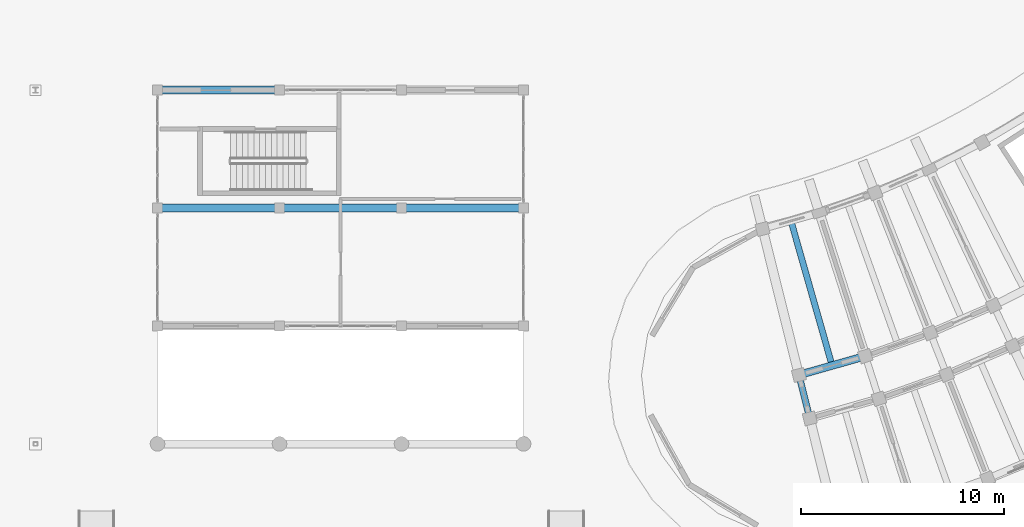
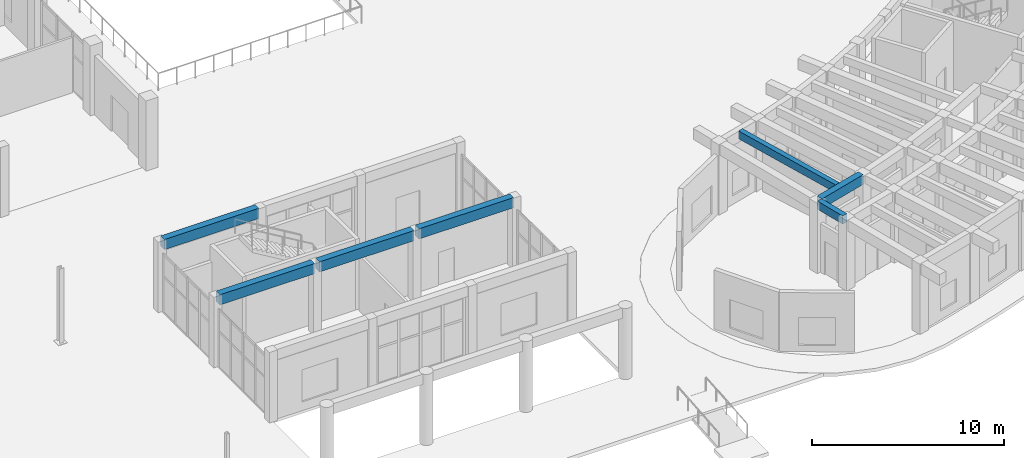
# One storey, part 25 of 132: 7 beams.
"""IFC4 building model written with IfcOpenShell, lengths in metres."""

from ifc_helpers import new_model, si_unit, direction, frame, origin, origin_2d, place, context, subcontext, project, spatial, rectangle, extrude, material, material_profile, profile_set, type_object, element, save


model = new_model("IFC4")

# Units and contexts
model_context = context("Model", 3, precision=1e-05, world=origin(), true_north=direction((0.0, 1.0)))
body_context = subcontext(model_context, "Body", "Model", "MODEL_VIEW")
ifc_project = project(units=[si_unit("LENGTHUNIT", "METRE"), si_unit("AREAUNIT", "SQUARE_METRE"), si_unit("VOLUMEUNIT", "CUBIC_METRE"), si_unit("PLANEANGLEUNIT", "RADIAN"), si_unit("MASSUNIT", "GRAM", prefix="KILO")], contexts=[model_context])

# Site, building, storey
site_placement = place(None, origin())
site = spatial("IfcSite", under=ifc_project, at=site_placement, CompositionType="ELEMENT")
building_placement = place(site_placement, origin())
building = spatial("IfcBuilding", under=site, at=building_placement, Name="Tanwirah Colonnade Gardens", CompositionType="ELEMENT")
storey_placement = place(building_placement, origin())
storey = spatial("IfcBuildingStorey", under=building, at=storey_placement, Name="L00", CompositionType="ELEMENT", Elevation=0.0)

# Beams
ifc_material_1 = material(Name="Precast concrete C40/50", Category="concrete")
ifc_material_profile_1 = material_profile(ifc_material_1, rectangle(XDim=0.320068359375, YDim=0.52001953125, at=origin_2d()), Name="PC-BM 320x520")
ifc_profile_set_1 = profile_set([ifc_material_profile_1], Name="Precast concrete C40/50")
beam_type_1 = type_object("IfcBeamType", Name="BM-PC320", PredefinedType="BEAM", material=ifc_profile_set_1)
beam_1_placement = place(storey_placement, frame((133.579833984375, 14.044677734375, 4.22509765625), z_axis=(0.241961122321, -0.970285945114, 0.0), x_axis=(0.970285945114, 0.241961122321, 0.0)))
element("IfcBeam", 1, at=beam_1_placement, inside=storey, type_object=beam_type_1, Name="Block D L00 Corridor Tie Beam 0", PredefinedType="BEAM", context=body_context, shape_type="SweptSolid", body=[
    extrude(rectangle(XDim=0.320068359375, YDim=0.52001953125, at=origin_2d()), origin(), (0.0, 0.0, 1.0), 1.89990234375),
])
ifc_material_profile_2 = material_profile(ifc_material_1, rectangle(XDim=0.3798828125, YDim=0.6201171875, at=origin_2d()), Name="PC-BM 380x620")
ifc_profile_set_2 = profile_set([ifc_material_profile_2], Name="Precast concrete C40/50")
beam_type_2 = type_object("IfcBeamType", Name="BM-PC380", PredefinedType="BEAM", material=ifc_profile_set_2)
beam_2_placement = place(storey_placement, frame((133.68798828125, 14.231201171875, 4.175048828125), z_axis=(0.961865763464, 0.273521942585, 0.0), x_axis=(-0.273521942585, 0.961865763464, 0.0)))
element("IfcBeam", 2, at=beam_2_placement, inside=storey, type_object=beam_type_2, Name="Block D L00 Circumferential Beam 0-R1", PredefinedType="BEAM", context=body_context, shape_type="SweptSolid", body=[
    extrude(rectangle(XDim=0.3798828125, YDim=0.6201171875, at=origin_2d()), origin(), (0.0, 0.0, 1.0), 3.0927734375),
])
ifc_material_2 = material(Name="Precast concrete C45/55", Category="concrete")
ifc_material_profile_3 = material_profile(ifc_material_2, rectangle(XDim=0.39990234375, YDim=0.64990234375, at=origin_2d()), Name="PC-BM 400x650")
ifc_profile_set_3 = profile_set([ifc_material_profile_3], Name="Precast concrete C45/55")
beam_type_3 = type_object("IfcBeamType", Name="BM-PC400", PredefinedType="BEAM", material=ifc_profile_set_3)
for number, where, z_axis, x_axis, name in (
    (3, (102.14990234375, 22.39990234375, 4.1650390625), (1.0, 0.0, 0.0), (0.0, 1.0, 0.0), "Boulevard Shops E L00 Beam 0.2"),
    (4, (108.14990234375, 22.39990234375, 4.1650390625), (1.0, 0.0, 0.0), (0.0, 1.0, 0.0), "Boulevard Shops E L00 Beam 1.2"),
    (5, (114.14990234375, 22.39990234375, 4.1650390625), (1.0, 0.0, 0.0), (0.0, 1.0, 0.0), "Boulevard Shops E L00 Beam 2.2"),
    (6, (102.14990234375, 28.199951171875, 4.1650390625), (1.0, 0.0, 0.0), (0.0, 1.0, 0.0), "Boulevard Shops E L00 Beam 0.3"),
):
    element("IfcBeam", number, at=place(storey_placement, frame(where, z_axis=z_axis, x_axis=x_axis)), inside=storey, type_object=beam_type_3, Name=name, PredefinedType="BEAM", context=body_context, shape_type="SweptSolid", body=[
        extrude(rectangle(XDim=0.39990234375, YDim=0.64990234375, at=origin_2d()), origin(), (0.0, 0.0, 1.0), 5.7001953125),
    ])
ifc_material_profile_4 = material_profile(ifc_material_1, rectangle(XDim=0.300048828125, YDim=0.5, at=origin_2d()), Name="PC-JST 300x500")
ifc_profile_set_4 = profile_set([ifc_material_profile_4], Name="Precast concrete C40/50")
beam_type_4 = type_object("IfcBeamType", Name="JST-PC300", PredefinedType="JOIST", material=ifc_profile_set_4)
beam_3_placement = place(storey_placement, frame((133.191650390625, 21.6298828125, 4.235107421875), z_axis=(0.273532000762, -0.961862903204, 0.0), x_axis=(0.961862903204, 0.273532000762, 0.0)))
element("IfcBeam", 7, at=beam_3_placement, inside=storey, type_object=beam_type_4, Name="Block D L00 Inner Precast Floor Joist 0", PredefinedType="JOIST", context=body_context, shape_type="SweptSolid", body=[
    extrude(rectangle(XDim=0.300048828125, YDim=0.5, at=origin_2d()), origin(), (0.0, 0.0, 1.0), 7.159912109375),
])

save(model, "model.ifc")
